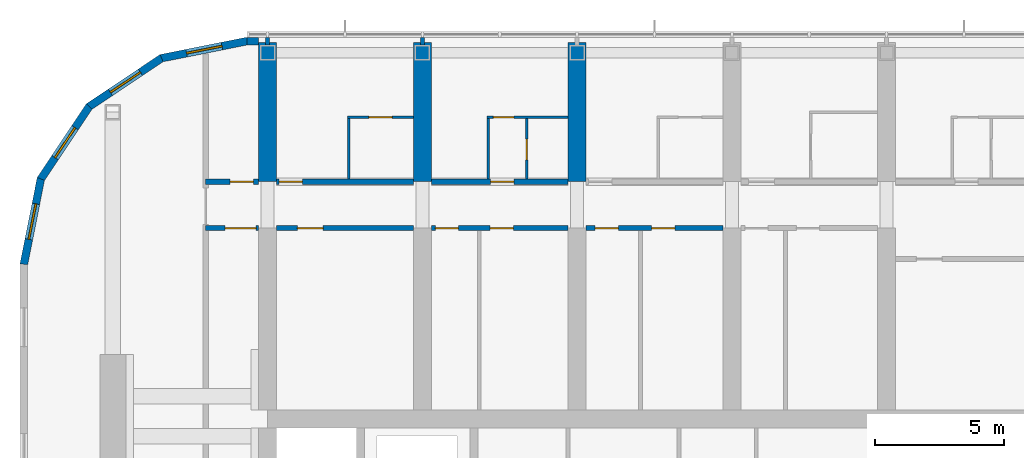
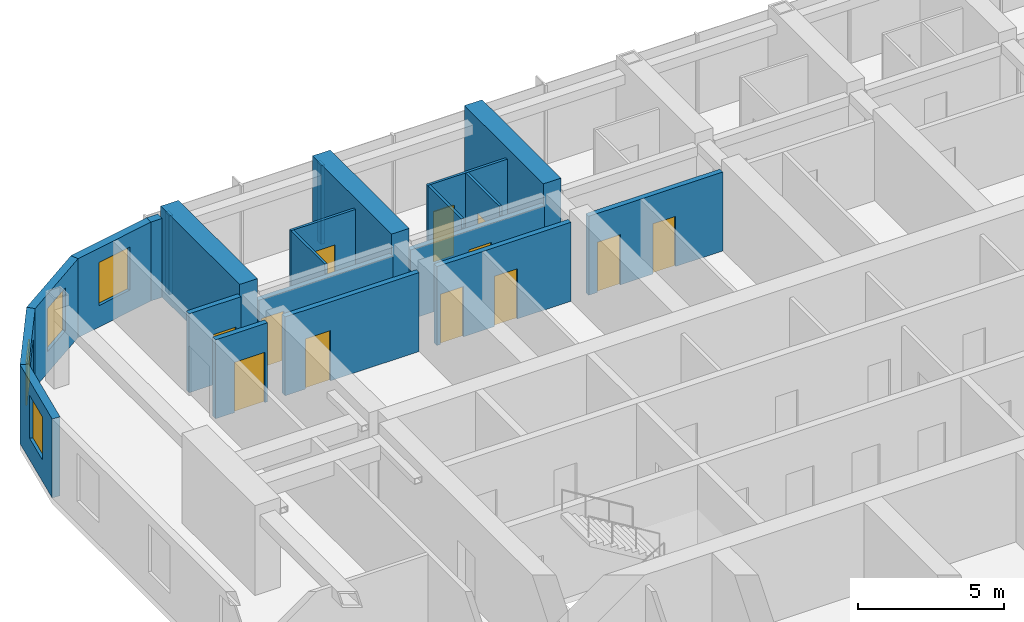
# One storey, part 15 of 23: 22 walls, 12 doors, 4 windows, 16 openings.
"""IFC4 building model written with IfcOpenShell, lengths in metres."""

from ifc_helpers import new_model, si_unit, direction, frame, frame_2d, origin, place, context, subcontext, project, spatial, polyline, rectangle, outline, extrude, material, layer, layer_set, type_object, element, fill, save


model = new_model("IFC4")

# Units and contexts
model_context = context("Model", 3, precision=1e-05, world=origin(), true_north=direction((0.0, 1.0)))
body_context = subcontext(model_context, "Body", "Model", "MODEL_VIEW")
ifc_project = project(units=[si_unit("LENGTHUNIT", "METRE"), si_unit("AREAUNIT", "SQUARE_METRE"), si_unit("VOLUMEUNIT", "CUBIC_METRE"), si_unit("PLANEANGLEUNIT", "RADIAN"), si_unit("MASSUNIT", "GRAM", prefix="KILO")], contexts=[model_context])

# Site, building, storey
site_placement = place(None, origin())
site = spatial("IfcSite", under=ifc_project, at=site_placement, CompositionType="ELEMENT")
building_placement = place(site_placement, origin())
building = spatial("IfcBuilding", under=site, at=building_placement, Name="Orbita Commons", CompositionType="ELEMENT")
storey_placement = place(building_placement, frame((0.0, 0.0, 212.800048828125)))
storey = spatial("IfcBuildingStorey", under=building, at=storey_placement, Name="L52", CompositionType="ELEMENT", Elevation=212.800048828125)

# Wall, opening, door
ifc_material_1 = material(Name="Concrete blockwork", Category="masonry")
ifc_layer_1 = layer(ifc_material_1, 0.199951171875)
ifc_layer_set_1 = layer_set([ifc_layer_1], Name="Concrete blockwork")
wall_type_1 = type_object("IfcWallType", Name="Corridor wall 200 blockwork", PredefinedType="SOLIDWALL", material=ifc_layer_set_1)
wall_1_placement = place(storey_placement, frame((15.60009765625, 47.39990234375, 0.0), z_axis=(0.0, 0.0, 1.0), x_axis=(1.0, 0.0, 0.0)))
wall_1 = element("IfcWall", 1, at=wall_1_placement, inside=storey, type_object=wall_type_1, Name="Corridor wall 200 blockwork L52", PredefinedType="SOLIDWALL", context=body_context, shape_type="SweptSolid", body=[
    extrude(rectangle(XDim=2.0498046875, YDim=0.199951171875, at=frame_2d((1.02490234375, 0.0))), origin(), (0.0, 0.0, 1.0), 3.300048828125),
])
opening_1_placement = place(wall_1_placement, frame((0.949951171875, 0.0, 0.0)))
opening_1 = element("IfcOpeningElement", 2, at=opening_1_placement, cuts=wall_1, Name="Opening D05", PredefinedType="OPENING", context=body_context, shape_type="SweptSolid", body=[
    extrude(rectangle(XDim=0.89990234375, YDim=2.10009765625, at=frame_2d((0.449951171875, 1.050048828125))), frame((0.0, 0.10986328125, 0.0), z_axis=(0.0, -1.0, 0.0), x_axis=(1.0, 0.0, 0.0)), (0.0, 0.0, 1.0), 0.219970703125),
])
ifc_material_2 = material(Name="Steel-faced fire door leaf", Category="steel")
door_type_1 = type_object("IfcDoorType", Name="Service door 20 min 900x2100", OperationType="SINGLE_SWING_LEFT", PredefinedType="DOOR", material=ifc_material_2)
door_1_placement = place(opening_1_placement, origin())
door_1 = element("IfcDoor", 3, at=door_1_placement, inside=storey, type_object=door_type_1, Name="Linen store L52-KWN door", OperationType="SINGLE_SWING_LEFT", OverallHeight=2.10009765625, OverallWidth=0.89990234375, PredefinedType="DOOR", context=body_context, shape_type="SweptSolid", body=[
    extrude(rectangle(XDim=0.89990234375, YDim=2.10009765625, at=frame_2d((0.449951171875, 1.050048828125))), frame((0.0, 0.02490234375, 0.0), z_axis=(0.0, -1.0, 0.0), x_axis=(1.0, 0.0, 0.0)), (0.0, 0.0, 1.0), 0.050048828125),
])
fill(opening_1, door_1)

wall_2_placement = place(storey_placement, frame((18.35009765625, 47.39990234375, 0.0), z_axis=(0.0, 0.0, 1.0), x_axis=(1.0, 0.0, 0.0)))
wall_2 = element("IfcWall", 4, at=wall_2_placement, inside=storey, type_object=wall_type_1, Name="Corridor wall 200 blockwork L52", PredefinedType="SOLIDWALL", context=body_context, shape_type="SweptSolid", body=[
    extrude(outline(polyline([(0.0, 0.0), (5.2998046875, 0.0), (5.300048828125, 2.89990234375), (0.0, 2.89990234375), (0.0, 0.0)])), frame((0.0, 0.10009765625, 0.0), z_axis=(0.0, -1.0, 0.0), x_axis=(1.0, 0.0, 0.0)), (0.0, 0.0, 1.0), 0.199951171875),
])
opening_2_placement = place(wall_2_placement, frame((0.10009765625, 0.0, 0.0)))
opening_2 = element("IfcOpeningElement", 5, at=opening_2_placement, cuts=wall_2, Name="Opening D11", PredefinedType="OPENING", context=body_context, shape_type="SweptSolid", body=[
    extrude(rectangle(XDim=0.89990234375, YDim=2.10009765625, at=frame_2d((0.449951171875, 1.050048828125))), frame((0.0, 0.10986328125, 0.0), z_axis=(0.0, -1.0, 0.0), x_axis=(1.0, 0.0, 0.0)), (0.0, 0.0, 1.0), 0.219970703125),
])
ifc_material_3 = material(Name="Steel-faced fire door leaf", Category="steel")
door_type_2 = type_object("IfcDoorType", Name="Corridor door 20 min 900x2100", OperationType="SINGLE_SWING_LEFT", PredefinedType="DOOR", material=ifc_material_3)
door_2_placement = place(opening_2_placement, origin())
door_2 = element("IfcDoor", 6, at=door_2_placement, inside=storey, type_object=door_type_2, Name="Studio apartment with kitchenette L52-N00 door", OperationType="SINGLE_SWING_LEFT", OverallHeight=2.10009765625, OverallWidth=0.89990234375, PredefinedType="DOOR", context=body_context, shape_type="SweptSolid", body=[
    extrude(rectangle(XDim=0.89990234375, YDim=2.10009765625, at=frame_2d((0.449951171875, 1.050048828125))), frame((0.0, 0.02490234375, 0.0), z_axis=(0.0, -1.0, 0.0), x_axis=(1.0, 0.0, 0.0)), (0.0, 0.0, 1.0), 0.050048828125),
])
fill(opening_2, door_2)

wall_3_placement = place(storey_placement, frame((24.35009765625, 47.39990234375, 0.0), z_axis=(0.0, 0.0, 1.0), x_axis=(1.0, 0.0, 0.0)))
wall_3 = element("IfcWall", 7, at=wall_3_placement, inside=storey, type_object=wall_type_1, Name="Corridor wall 200 blockwork L52", PredefinedType="SOLIDWALL", context=body_context, shape_type="SweptSolid", body=[
    extrude(outline(polyline([(0.0, 0.0), (5.2998046875, 0.0), (5.300048828125, 2.89990234375), (0.0, 2.89990234375), (0.0, 0.0)])), frame((0.0, 0.10009765625, 0.0), z_axis=(0.0, -1.0, 0.0), x_axis=(1.0, 0.0, 0.0)), (0.0, 0.0, 1.0), 0.199951171875),
])
opening_3_placement = place(wall_3_placement, frame((2.300048828125, 0.0, 0.0)))
opening_3 = element("IfcOpeningElement", 8, at=opening_3_placement, cuts=wall_3, Name="Opening D11", PredefinedType="OPENING", context=body_context, shape_type="SweptSolid", body=[
    extrude(rectangle(XDim=0.89990234375, YDim=2.10009765625, at=frame_2d((0.449951171875, 1.050048828125))), frame((0.0, 0.10986328125, 0.0), z_axis=(0.0, -1.0, 0.0), x_axis=(1.0, 0.0, 0.0)), (0.0, 0.0, 1.0), 0.219970703125),
])
door_3_placement = place(opening_3_placement, origin())
door_3 = element("IfcDoor", 9, at=door_3_placement, inside=storey, type_object=door_type_2, Name="Studio flat L52-N02 entrance door", OperationType="SINGLE_SWING_LEFT", OverallHeight=2.10009765625, OverallWidth=0.89990234375, PredefinedType="DOOR", context=body_context, shape_type="SweptSolid", body=[
    extrude(rectangle(XDim=0.89990234375, YDim=2.10009765625, at=frame_2d((0.449951171875, 1.050048828125))), frame((0.0, 0.02490234375, 0.0), z_axis=(0.0, -1.0, 0.0), x_axis=(1.0, 0.0, 0.0)), (0.0, 0.0, 1.0), 0.050048828125),
])
fill(opening_3, door_3)

ifc_material_4 = material(Name="Hollow concrete block 200", Category="concrete")
ifc_layer_2 = layer(ifc_material_4, 0.199951171875)
ifc_layer_set_2 = layer_set([ifc_layer_2], Name="Hollow concrete block 200")
wall_type_2 = type_object("IfcWallType", Name="Corridor wall 200 hollow concrete block", PredefinedType="SOLIDWALL", material=ifc_layer_set_2)
wall_4_placement = place(storey_placement, frame((15.60009765625, 45.60009765625, 0.0), z_axis=(0.0, 0.0, 1.0), x_axis=(1.0, 0.0, 0.0)))
wall_4 = element("IfcWall", 10, at=wall_4_placement, inside=storey, type_object=wall_type_2, Name="Corridor wall 200 hollow concrete block L52", PredefinedType="SOLIDWALL", context=body_context, shape_type="SweptSolid", body=[
    extrude(rectangle(XDim=2.0498046875, YDim=0.199951171875, at=frame_2d((1.02490234375, 0.0))), origin(), (0.0, 0.0, 1.0), 3.300048828125),
])
opening_4_placement = place(wall_4_placement, frame((0.75, 0.0, 0.0)))
opening_4 = element("IfcOpeningElement", 11, at=opening_4_placement, cuts=wall_4, Name="Opening D12", PredefinedType="OPENING", context=body_context, shape_type="SweptSolid", body=[
    extrude(rectangle(XDim=1.199951171875, YDim=2.10009765625, at=frame_2d((0.60009765625, 1.050048828125))), frame((0.0, 0.10986328125, 0.0), z_axis=(0.0, -1.0, 0.0), x_axis=(1.0, 0.0, 0.0)), (0.0, 0.0, 1.0), 0.219970703125),
])
ifc_material_5 = material(Name="Steel-faced fire door leaf", Category="steel")
door_type_3 = type_object("IfcDoorType", Name="Double corridor door 20 min 1200x2100", OperationType="DOUBLE_DOOR_SINGLE_SWING", PredefinedType="DOOR", material=ifc_material_5)
door_4_placement = place(opening_4_placement, origin())
door_4 = element("IfcDoor", 12, at=door_4_placement, inside=storey, type_object=door_type_3, Name="Cross corridor doors", OperationType="DOUBLE_DOOR_SINGLE_SWING", OverallHeight=2.10009765625, OverallWidth=1.199951171875, PredefinedType="DOOR", context=body_context, shape_type="SweptSolid", body=[
    extrude(rectangle(XDim=1.199951171875, YDim=2.10009765625, at=frame_2d((0.60009765625, 1.050048828125))), frame((0.0, 0.02490234375, 0.0), z_axis=(0.0, -1.0, 0.0), x_axis=(1.0, 0.0, 0.0)), (0.0, 0.0, 1.0), 0.050048828125),
])
fill(opening_4, door_4)

wall_5_placement = place(storey_placement, frame((18.35009765625, 45.60009765625, 0.0), z_axis=(0.0, 0.0, 1.0), x_axis=(1.0, 0.0, 0.0)))
wall_5 = element("IfcWall", 13, at=wall_5_placement, inside=storey, type_object=wall_type_2, Name="Corridor wall 200 hollow concrete block L52", PredefinedType="SOLIDWALL", context=body_context, shape_type="SweptSolid", body=[
    extrude(rectangle(XDim=5.2998046875, YDim=0.199951171875, at=frame_2d((2.64990234375, 0.0))), origin(), (0.0, 0.0, 1.0), 3.300048828125),
])
opening_5_placement = place(wall_5_placement, frame((0.800048828125, 0.0, 0.0)))
opening_5 = element("IfcOpeningElement", 14, at=opening_5_placement, cuts=wall_5, Name="Opening D06", PredefinedType="OPENING", context=body_context, shape_type="SweptSolid", body=[
    extrude(rectangle(XDim=1.0, YDim=2.10009765625, at=frame_2d((0.5, 1.050048828125))), frame((0.0, 0.10986328125, 0.0), z_axis=(0.0, -1.0, 0.0), x_axis=(1.0, 0.0, 0.0)), (0.0, 0.0, 1.0), 0.219970703125),
])
ifc_material_6 = material(Name="Steel-faced fire door leaf", Category="steel")
door_type_4 = type_object("IfcDoorType", Name="Corridor door 20 min 1000x2100", OperationType="SINGLE_SWING_LEFT", PredefinedType="DOOR", material=ifc_material_6)
door_5_placement = place(opening_5_placement, origin())
door_5 = element("IfcDoor", 15, at=door_5_placement, inside=storey, type_object=door_type_4, Name="IT and print room L52-BDN18 door", OperationType="SINGLE_SWING_LEFT", OverallHeight=2.10009765625, OverallWidth=1.0, PredefinedType="DOOR", context=body_context, shape_type="SweptSolid", body=[
    extrude(rectangle(XDim=1.0, YDim=2.10009765625, at=frame_2d((0.5, 1.050048828125))), frame((0.0, 0.02490234375, 0.0), z_axis=(0.0, -1.0, 0.0), x_axis=(1.0, 0.0, 0.0)), (0.0, 0.0, 1.0), 0.050048828125),
])
fill(opening_5, door_5)

# Wall, openings, doors
wall_6_placement = place(storey_placement, frame((24.35009765625, 45.60009765625, 0.0), z_axis=(0.0, 0.0, 1.0), x_axis=(1.0, 0.0, 0.0)))
wall_6 = element("IfcWall", 16, at=wall_6_placement, inside=storey, type_object=wall_type_2, Name="Corridor wall 200 hollow concrete block L52", PredefinedType="SOLIDWALL", context=body_context, shape_type="SweptSolid", body=[
    extrude(rectangle(XDim=5.2998046875, YDim=0.199951171875, at=frame_2d((2.64990234375, 0.0))), origin(), (0.0, 0.0, 1.0), 3.300048828125),
])
opening_6_placement = place(wall_6_placement, frame((0.14990234375, 0.0, 0.0)))
opening_6 = element("IfcOpeningElement", 17, at=opening_6_placement, cuts=wall_6, Name="Opening D11", PredefinedType="OPENING", context=body_context, shape_type="SweptSolid", body=[
    extrude(rectangle(XDim=0.89990234375, YDim=2.10009765625, at=frame_2d((0.449951171875, 1.050048828125))), frame((0.0, 0.10986328125, 0.0), z_axis=(0.0, -1.0, 0.0), x_axis=(1.0, 0.0, 0.0)), (0.0, 0.0, 1.0), 0.219970703125),
])
opening_7_placement = place(wall_6_placement, frame((2.280029296875, 0.0, 0.0)))
opening_7 = element("IfcOpeningElement", 18, at=opening_7_placement, cuts=wall_6, Name="Opening D11", PredefinedType="OPENING", context=body_context, shape_type="SweptSolid", body=[
    extrude(rectangle(XDim=0.89990234375, YDim=2.10009765625, at=frame_2d((0.449951171875, 1.050048828125))), frame((0.0, 0.10986328125, 0.0), z_axis=(0.0, -1.0, 0.0), x_axis=(1.0, 0.0, 0.0)), (0.0, 0.0, 1.0), 0.219970703125),
])
door_6_placement = place(opening_6_placement, origin())
door_6 = element("IfcDoor", 19, at=door_6_placement, inside=storey, type_object=door_type_2, Name="Sprinkler valve room L52-BDN24n door", OperationType="SINGLE_SWING_LEFT", OverallHeight=2.10009765625, OverallWidth=0.89990234375, PredefinedType="DOOR", context=body_context, shape_type="SweptSolid", body=[
    extrude(rectangle(XDim=0.89990234375, YDim=2.10009765625, at=frame_2d((0.449951171875, 1.050048828125))), frame((0.0, 0.02490234375, 0.0), z_axis=(0.0, -1.0, 0.0), x_axis=(1.0, 0.0, 0.0)), (0.0, 0.0, 1.0), 0.050048828125),
])
fill(opening_6, door_6)
door_7_placement = place(opening_7_placement, origin())
door_7 = element("IfcDoor", 20, at=door_7_placement, inside=storey, type_object=door_type_2, Name="Storage lockers L52-BDN24 door", OperationType="SINGLE_SWING_LEFT", OverallHeight=2.10009765625, OverallWidth=0.89990234375, PredefinedType="DOOR", context=body_context, shape_type="SweptSolid", body=[
    extrude(rectangle(XDim=0.89990234375, YDim=2.10009765625, at=frame_2d((0.449951171875, 1.050048828125))), frame((0.0, 0.02490234375, 0.0), z_axis=(0.0, -1.0, 0.0), x_axis=(1.0, 0.0, 0.0)), (0.0, 0.0, 1.0), 0.050048828125),
])
fill(opening_7, door_7)

wall_7_placement = place(storey_placement, frame((30.35009765625, 45.60009765625, 0.0), z_axis=(0.0, 0.0, 1.0), x_axis=(1.0, 0.0, 0.0)))
wall_7 = element("IfcWall", 21, at=wall_7_placement, inside=storey, type_object=wall_type_2, Name="Corridor wall 200 hollow concrete block L52", PredefinedType="SOLIDWALL", context=body_context, shape_type="SweptSolid", body=[
    extrude(rectangle(XDim=5.2998046875, YDim=0.199951171875, at=frame_2d((2.64990234375, 0.0))), origin(), (0.0, 0.0, 1.0), 3.300048828125),
])
opening_8_placement = place(wall_7_placement, frame((0.35009765625, 0.0, 0.0)))
opening_8 = element("IfcOpeningElement", 22, at=opening_8_placement, cuts=wall_7, Name="Opening D11", PredefinedType="OPENING", context=body_context, shape_type="SweptSolid", body=[
    extrude(rectangle(XDim=0.89990234375, YDim=2.10009765625, at=frame_2d((0.449951171875, 1.050048828125))), frame((0.0, 0.10986328125, 0.0), z_axis=(0.0, -1.0, 0.0), x_axis=(1.0, 0.0, 0.0)), (0.0, 0.0, 1.0), 0.219970703125),
])
opening_9_placement = place(wall_7_placement, frame((2.534912109375, 0.0, 0.0)))
opening_9 = element("IfcOpeningElement", 23, at=opening_9_placement, cuts=wall_7, Name="Opening D11", PredefinedType="OPENING", context=body_context, shape_type="SweptSolid", body=[
    extrude(rectangle(XDim=0.89990234375, YDim=2.10009765625, at=frame_2d((0.449951171875, 1.050048828125))), frame((0.0, 0.10986328125, 0.0), z_axis=(0.0, -1.0, 0.0), x_axis=(1.0, 0.0, 0.0)), (0.0, 0.0, 1.0), 0.219970703125),
])
door_8_placement = place(opening_8_placement, origin())
door_8 = element("IfcDoor", 24, at=door_8_placement, inside=storey, type_object=door_type_2, Name="Water heater cupboard L52-BDN30n door", OperationType="SINGLE_SWING_LEFT", OverallHeight=2.10009765625, OverallWidth=0.89990234375, PredefinedType="DOOR", context=body_context, shape_type="SweptSolid", body=[
    extrude(rectangle(XDim=0.89990234375, YDim=2.10009765625, at=frame_2d((0.449951171875, 1.050048828125))), frame((0.0, 0.02490234375, 0.0), z_axis=(0.0, -1.0, 0.0), x_axis=(1.0, 0.0, 0.0)), (0.0, 0.0, 1.0), 0.050048828125),
])
fill(opening_8, door_8)
door_9_placement = place(opening_9_placement, origin())
door_9 = element("IfcDoor", 25, at=door_9_placement, inside=storey, type_object=door_type_2, Name="Cleaners store L52-BDN30 door", OperationType="SINGLE_SWING_LEFT", OverallHeight=2.10009765625, OverallWidth=0.89990234375, PredefinedType="DOOR", context=body_context, shape_type="SweptSolid", body=[
    extrude(rectangle(XDim=0.89990234375, YDim=2.10009765625, at=frame_2d((0.449951171875, 1.050048828125))), frame((0.0, 0.02490234375, 0.0), z_axis=(0.0, -1.0, 0.0), x_axis=(1.0, 0.0, 0.0)), (0.0, 0.0, 1.0), 0.050048828125),
])
fill(opening_9, door_9)

# Walls
ifc_material_7 = material(Name="Concrete C50/60", Category="concrete")
ifc_layer_3 = layer(ifc_material_7, 0.699951171875)
ifc_layer_set_3 = layer_set([ifc_layer_3], Name="Concrete C50/60")
wall_type_3 = type_object("IfcWallType", Name="Cross wall 700 C50/60", PredefinedType="SHEAR", material=ifc_layer_set_3)
for number, where, z_axis, x_axis, name in (
    (26, (18.0, 47.39990234375, 0.0), (0.0, 0.0, 1.0), (0.0, 1.0, 0.0), "Cross wall 4 north outer L52"),
    (27, (24.0, 47.39990234375, 0.0), (0.0, 0.0, 1.0), (0.0, 1.0, 0.0), "Cross wall 5 north outer L52"),
    (28, (30.0, 47.39990234375, 0.0), (0.0, 0.0, 1.0), (0.0, 1.0, 0.0), "Cross wall 6 north outer L52"),
):
    element("IfcWall", number, at=place(storey_placement, frame(where, z_axis=z_axis, x_axis=x_axis)), inside=storey, type_object=wall_type_3, Name=name, PredefinedType="SHEAR", context=body_context, shape_type="SweptSolid", body=[
        extrude(rectangle(XDim=5.400146484375, YDim=0.699951171875, at=frame_2d((2.7001953125, 0.0))), origin(), (0.0, 0.0, 1.0), 3.75),
    ])

# Wall, opening, door
ifc_material_8 = material(Name="Moisture-resistant plasterboard on steel studs", Category="steel")
ifc_layer_4 = layer(ifc_material_8, 0.10009765625)
ifc_layer_set_4 = layer_set([ifc_layer_4], Name="Moisture-resistant plasterboard on steel studs")
wall_type_4 = type_object("IfcWallType", Name="En-suite partition 100", PredefinedType="PARTITIONING", material=ifc_layer_set_4)
wall_8_placement = place(storey_placement, frame((21.10009765625, 49.89990234375, 0.0), z_axis=(0.0, 0.0, 1.0), x_axis=(1.0, 0.0, 0.0)))
wall_8 = element("IfcWall", 29, at=wall_8_placement, inside=storey, type_object=wall_type_4, Name="En-suite partition 100 L52", PredefinedType="PARTITIONING", context=body_context, shape_type="SweptSolid", body=[
    extrude(rectangle(XDim=2.5498046875, YDim=0.10009765625, at=frame_2d((1.27490234375, 0.0))), origin(), (0.0, 0.0, 1.0), 3.300048828125),
])
opening_10_placement = place(wall_8_placement, frame((0.824951171875, 0.0, 0.0)))
opening_10 = element("IfcOpeningElement", 30, at=opening_10_placement, cuts=wall_8, Name="Opening D09", PredefinedType="OPENING", context=body_context, shape_type="SweptSolid", body=[
    extrude(rectangle(XDim=0.89990234375, YDim=2.10009765625, at=frame_2d((0.449951171875, 1.050048828125))), frame((0.0, 0.06005859375, 0.0), z_axis=(0.0, -1.0, 0.0), x_axis=(1.0, 0.0, 0.0)), (0.0, 0.0, 1.0), 0.1201171875),
])
ifc_material_9 = material(Name="Laminated timber door leaf", Category="wood")
door_type_5 = type_object("IfcDoorType", Name="En-suite door 900x2100", OperationType="SINGLE_SWING_RIGHT", PredefinedType="DOOR", material=ifc_material_9)
door_10_placement = place(opening_10_placement, origin())
door_10 = element("IfcDoor", 31, at=door_10_placement, inside=storey, type_object=door_type_5, Name="En-suite L52-N00 door", OperationType="SINGLE_SWING_RIGHT", OverallHeight=2.10009765625, OverallWidth=0.89990234375, PredefinedType="DOOR", context=body_context, shape_type="SweptSolid", body=[
    extrude(rectangle(XDim=0.89990234375, YDim=2.10009765625, at=frame_2d((0.449951171875, 1.050048828125))), frame((0.0, 0.02490234375, 0.0), z_axis=(0.0, -1.0, 0.0), x_axis=(1.0, 0.0, 0.0)), (0.0, 0.0, 1.0), 0.050048828125),
])
fill(opening_10, door_10)

# Wall
wall_9_placement = place(storey_placement, frame((21.14990234375, 49.85009765625, 0.0), z_axis=(0.0, 0.0, 1.0), x_axis=(0.0, -1.0, 0.0)))
element("IfcWall", 32, at=wall_9_placement, inside=storey, type_object=wall_type_4, Name="En-suite partition 100 L52", PredefinedType="PARTITIONING", context=body_context, shape_type="SweptSolid", body=[
    extrude(outline(polyline([(0.0, 0.0), (2.35009765625, 0.0), (2.35009765625, 2.89990234375), (2.302001953125, 2.89990234375), (2.300048828125, 3.300048828125), (0.0, 3.300048828125), (0.0, 0.0)])), frame((0.0, 0.050048828125, 0.0), z_axis=(0.0, -1.0, 0.0), x_axis=(1.0, 0.0, 0.0)), (0.0, 0.0, 1.0), 0.10009765625),
])

# Wall, opening, door
wall_10_placement = place(storey_placement, frame((26.5, 49.89990234375, 0.0), z_axis=(0.0, 0.0, 1.0), x_axis=(1.0, 0.0, 0.0)))
wall_10 = element("IfcWall", 33, at=wall_10_placement, inside=storey, type_object=wall_type_4, Name="En-suite partition 100 L52", PredefinedType="PARTITIONING", context=body_context, shape_type="SweptSolid", body=[
    extrude(rectangle(XDim=3.14990234375, YDim=0.10009765625, at=frame_2d((1.574951171875, 0.0))), origin(), (0.0, 0.0, 1.0), 3.300048828125),
])
opening_11_placement = place(wall_10_placement, frame((0.25, 0.0, 0.0)))
opening_11 = element("IfcOpeningElement", 34, at=opening_11_placement, cuts=wall_10, Name="Opening D16", PredefinedType="OPENING", context=body_context, shape_type="SweptSolid", body=[
    extrude(rectangle(XDim=0.800048828125, YDim=2.10009765625, at=frame_2d((0.39990234375, 1.050048828125))), frame((0.0, 0.06005859375, 0.0), z_axis=(0.0, -1.0, 0.0), x_axis=(1.0, 0.0, 0.0)), (0.0, 0.0, 1.0), 0.1201171875),
])
ifc_material_10 = material(Name="Laminated timber door leaf", Category="wood")
door_type_6 = type_object("IfcDoorType", Name="En-suite door 800x2100", OperationType="SINGLE_SWING_RIGHT", PredefinedType="DOOR", material=ifc_material_10)
door_11_placement = place(opening_11_placement, origin())
door_11 = element("IfcDoor", 35, at=door_11_placement, inside=storey, type_object=door_type_6, Name="Studio flat L52-N02 door", OperationType="SINGLE_SWING_RIGHT", OverallHeight=2.10009765625, OverallWidth=0.800048828125, PredefinedType="DOOR", context=body_context, shape_type="SweptSolid", body=[
    extrude(rectangle(XDim=0.800048828125, YDim=2.10009765625, at=frame_2d((0.39990234375, 1.050048828125))), frame((0.0, 0.02490234375, 0.0), z_axis=(0.0, -1.0, 0.0), x_axis=(1.0, 0.0, 0.0)), (0.0, 0.0, 1.0), 0.050048828125),
])
fill(opening_11, door_11)

# Wall
wall_11_placement = place(storey_placement, frame((26.550048828125, 49.85009765625, 0.0), z_axis=(0.0, 0.0, 1.0), x_axis=(0.0, -1.0, 0.0)))
element("IfcWall", 36, at=wall_11_placement, inside=storey, type_object=wall_type_4, Name="En-suite partition 100 L52", PredefinedType="PARTITIONING", context=body_context, shape_type="SweptSolid", body=[
    extrude(outline(polyline([(0.0, 0.0), (2.35009765625, 0.0), (2.35009765625, 2.89990234375), (2.302001953125, 2.89990234375), (2.300048828125, 3.300048828125), (0.0, 3.300048828125), (0.0, 0.0)])), frame((0.0, 0.050048828125, 0.0), z_axis=(0.0, -1.0, 0.0), x_axis=(1.0, 0.0, 0.0)), (0.0, 0.0, 1.0), 0.10009765625),
])

# Wall, opening, door
wall_12_placement = place(storey_placement, frame((28.050048828125, 49.85009765625, 0.0), z_axis=(0.0, 0.0, 1.0), x_axis=(0.0, -1.0, 0.0)))
wall_12 = element("IfcWall", 37, at=wall_12_placement, inside=storey, type_object=wall_type_4, Name="En-suite partition 100 L52", PredefinedType="PARTITIONING", context=body_context, shape_type="SweptSolid", body=[
    extrude(outline(polyline([(0.0, 0.0), (2.35009765625, 0.0), (2.35009765625, 2.89990234375), (2.302001953125, 2.89990234375), (2.300048828125, 3.300048828125), (0.0, 3.300048828125), (0.0, 0.0)])), frame((0.0, 0.050048828125, 0.0), z_axis=(0.0, -1.0, 0.0), x_axis=(1.0, 0.0, 0.0)), (0.0, 0.0, 1.0), 0.10009765625),
])
opening_12_placement = place(wall_12_placement, frame((0.800048828125, 0.0, 0.0)))
opening_12 = element("IfcOpeningElement", 38, at=opening_12_placement, cuts=wall_12, Name="Opening D16", PredefinedType="OPENING", context=body_context, shape_type="SweptSolid", body=[
    extrude(rectangle(XDim=0.800048828125, YDim=2.10009765625, at=frame_2d((0.39990234375, 1.050048828125))), frame((0.0, 0.06005859375, 0.0), z_axis=(0.0, -1.0, 0.0), x_axis=(1.0, 0.0, 0.0)), (0.0, 0.0, 1.0), 0.1201171875),
])
door_12_placement = place(opening_12_placement, origin())
door_12 = element("IfcDoor", 39, at=door_12_placement, inside=storey, type_object=door_type_6, Name="Studio flat shower room L52-N02 door", OperationType="SINGLE_SWING_RIGHT", OverallHeight=2.10009765625, OverallWidth=0.800048828125, PredefinedType="DOOR", context=body_context, shape_type="SweptSolid", body=[
    extrude(rectangle(XDim=0.800048828125, YDim=2.10009765625, at=frame_2d((0.39990234375, 1.050048828125))), frame((0.0, 0.02490234375, 0.0), z_axis=(0.0, -1.0, 0.0), x_axis=(1.0, 0.0, 0.0)), (0.0, 0.0, 1.0), 0.050048828125),
])
fill(opening_12, door_12)

# Walls
ifc_material_11 = material(Name="Gypsum plasterboard on steel studs", Category="steel")
ifc_layer_5 = layer(ifc_material_11, 0.14990234375)
ifc_layer_set_5 = layer_set([ifc_layer_5], Name="Gypsum plasterboard on steel studs")
wall_type_5 = type_object("IfcWallType", Name="Partition 150 plasterboard", PredefinedType="PARTITIONING", material=ifc_layer_set_5)
for number, where, z_axis, x_axis, name in (
    (40, (18.0, 52.699951171875, 0.0), (0.0, 0.0, 1.0), (0.0, 1.0, 0.0), "Partition 150 plasterboard L52"),
    (41, (24.0, 52.699951171875, 0.0), (0.0, 0.0, 1.0), (0.0, 1.0, 0.0), "Partition 150 plasterboard L52"),
):
    element("IfcWall", number, at=place(storey_placement, frame(where, z_axis=z_axis, x_axis=x_axis)), inside=storey, type_object=wall_type_5, Name=name, PredefinedType="PARTITIONING", context=body_context, shape_type="SweptSolid", body=[
        extrude(rectangle(XDim=0.2900390625, YDim=0.14990234375, at=frame_2d((0.14501953125, 0.0))), origin(), (0.0, 0.0, 1.0), 3.300048828125),
    ])

# Wall, opening, window
ifc_material_12 = material(Name="Precast concrete C40/50, white board-marked finish", Category="concrete")
ifc_layer_6 = layer(ifc_material_12, 0.300048828125)
ifc_layer_set_6 = layer_set([ifc_layer_6], Name="Precast concrete C40/50, white board-marked finish")
wall_type_6 = type_object("IfcWallType", Name="Precast concrete end shield 300", PredefinedType="SOLIDWALL", material=ifc_layer_set_6)
wall_13_placement = place(storey_placement, frame((17.199951171875, 52.85009765625, 0.0), z_axis=(0.0, 0.0, 1.0), x_axis=(-0.98078325777, -0.195100490205, 0.0)))
wall_13 = element("IfcWall", 42, at=wall_13_placement, inside=storey, type_object=wall_type_6, Name="End shield NW chord 1 L52", PredefinedType="SOLIDWALL", context=body_context, shape_type="SweptSolid", body=[
    extrude(outline(polyline([(-0.02978515625, -0.14990234375), (3.40478515625, -0.14990234375), (3.34521484375, 0.14990234375), (0.02978515625, 0.14990234375), (-0.02978515625, -0.14990234375)])), origin(), (0.0, 0.0, 1.0), 3.300048828125),
])
opening_13_placement = place(wall_13_placement, frame((0.987548828125, 0.0, 0.89990234375)))
opening_13 = element("IfcOpeningElement", 43, at=opening_13_placement, cuts=wall_13, Name="Opening W02", PredefinedType="OPENING", context=body_context, shape_type="SweptSolid", body=[
    extrude(rectangle(XDim=1.39990234375, YDim=1.800048828125, at=frame_2d((0.699951171875, 0.89990234375))), frame((0.0, 0.159912109375, 0.0), z_axis=(0.0, -1.0, 0.0), x_axis=(1.0, 0.0, 0.0)), (0.0, 0.0, 1.0), 0.320068359375),
])
ifc_material_13 = material(Name="Aluminium frame, clear double glazing", Category="aluminium")
window_type = type_object("IfcWindowType", Name="Deep-set window 1400x1800", PartitioningType="SINGLE_PANEL", PredefinedType="WINDOW", material=ifc_material_13)
window_1_placement = place(opening_13_placement, origin())
window_1 = element("IfcWindow", 44, at=window_1_placement, inside=storey, type_object=window_type, Name="Window L52-NW0", OverallHeight=1.800048828125, OverallWidth=1.39990234375, PartitioningType="SINGLE_PANEL", PredefinedType="WINDOW", context=body_context, shape_type="SweptSolid", body=[
    extrude(rectangle(XDim=1.39990234375, YDim=1.800048828125, at=frame_2d((0.699951171875, 0.89990234375))), frame((0.0, 0.030029296875, 0.0), z_axis=(0.0, -1.0, 0.0), x_axis=(1.0, 0.0, 0.0)), (0.0, 0.0, 1.0), 0.06005859375),
])
fill(opening_13, window_1)

wall_14_placement = place(storey_placement, frame((13.889892578125, 52.191650390625, 0.0), z_axis=(0.0, 0.0, 1.0), x_axis=(-0.831460037396, -0.555584562613, 0.0)))
wall_14 = element("IfcWall", 45, at=wall_14_placement, inside=storey, type_object=wall_type_6, Name="End shield NW chord 2 L52", PredefinedType="SOLIDWALL", context=body_context, shape_type="SweptSolid", body=[
    extrude(outline(polyline([(-0.02978515625, -0.14990234375), (3.405029296875, -0.14990234375), (3.345458984375, 0.14990234375), (0.02978515625, 0.14990234375), (-0.02978515625, -0.14990234375)])), origin(), (0.0, 0.0, 1.0), 3.300048828125),
])
opening_14_placement = place(wall_14_placement, frame((0.987548828125, 0.0, 0.89990234375)))
opening_14 = element("IfcOpeningElement", 46, at=opening_14_placement, cuts=wall_14, Name="Opening W02", PredefinedType="OPENING", context=body_context, shape_type="SweptSolid", body=[
    extrude(rectangle(XDim=1.39990234375, YDim=1.800048828125, at=frame_2d((0.699951171875, 0.89990234375))), frame((0.0, 0.159912109375, 0.0), z_axis=(0.0, -1.0, 0.0), x_axis=(1.0, 0.0, 0.0)), (0.0, 0.0, 1.0), 0.320068359375),
])
window_2_placement = place(opening_14_placement, origin())
window_2 = element("IfcWindow", 47, at=window_2_placement, inside=storey, type_object=window_type, Name="Window L52-NW1", OverallHeight=1.800048828125, OverallWidth=1.39990234375, PartitioningType="SINGLE_PANEL", PredefinedType="WINDOW", context=body_context, shape_type="SweptSolid", body=[
    extrude(rectangle(XDim=1.39990234375, YDim=1.800048828125, at=frame_2d((0.699951171875, 0.89990234375))), frame((0.0, 0.030029296875, 0.0), z_axis=(0.0, -1.0, 0.0), x_axis=(1.0, 0.0, 0.0)), (0.0, 0.0, 1.0), 0.06005859375),
])
fill(opening_14, window_2)

wall_15_placement = place(storey_placement, frame((11.08349609375, 50.31640625, 0.0), z_axis=(0.0, 0.0, 1.0), x_axis=(-0.555567969291, -0.831471124873, 0.0)))
wall_15 = element("IfcWall", 48, at=wall_15_placement, inside=storey, type_object=wall_type_6, Name="End shield NW chord 3 L52", PredefinedType="SOLIDWALL", context=body_context, shape_type="SweptSolid", body=[
    extrude(outline(polyline([(-0.02978515625, -0.14990234375), (3.40478515625, -0.14990234375), (3.34521484375, 0.14990234375), (0.02978515625, 0.14990234375), (-0.02978515625, -0.14990234375)])), origin(), (0.0, 0.0, 1.0), 3.300048828125),
])
opening_15_placement = place(wall_15_placement, frame((0.987548828125, 0.0, 0.89990234375)))
opening_15 = element("IfcOpeningElement", 49, at=opening_15_placement, cuts=wall_15, Name="Opening W02", PredefinedType="OPENING", context=body_context, shape_type="SweptSolid", body=[
    extrude(rectangle(XDim=1.39990234375, YDim=1.800048828125, at=frame_2d((0.699951171875, 0.89990234375))), frame((0.0, 0.159912109375, 0.0), z_axis=(0.0, -1.0, 0.0), x_axis=(1.0, 0.0, 0.0)), (0.0, 0.0, 1.0), 0.320068359375),
])
window_3_placement = place(opening_15_placement, origin())
window_3 = element("IfcWindow", 50, at=window_3_placement, inside=storey, type_object=window_type, Name="Window L52-NW2", OverallHeight=1.800048828125, OverallWidth=1.39990234375, PartitioningType="SINGLE_PANEL", PredefinedType="WINDOW", context=body_context, shape_type="SweptSolid", body=[
    extrude(rectangle(XDim=1.39990234375, YDim=1.800048828125, at=frame_2d((0.699951171875, 0.89990234375))), frame((0.0, 0.030029296875, 0.0), z_axis=(0.0, -1.0, 0.0), x_axis=(1.0, 0.0, 0.0)), (0.0, 0.0, 1.0), 0.06005859375),
])
fill(opening_15, window_3)

wall_16_placement = place(storey_placement, frame((9.20849609375, 47.51025390625, 0.0), z_axis=(0.0, 0.0, 1.0), x_axis=(-0.19508664885, -0.980786011034, 0.0)))
wall_16 = element("IfcWall", 51, at=wall_16_placement, inside=storey, type_object=wall_type_6, Name="End shield NW chord 4 L52", PredefinedType="SOLIDWALL", context=body_context, shape_type="SweptSolid", body=[
    extrude(outline(polyline([(-0.02978515625, -0.14990234375), (3.39013671875, -0.14990234375), (3.3603515625, 0.14990234375), (0.02978515625, 0.14990234375), (-0.02978515625, -0.14990234375)])), origin(), (0.0, 0.0, 1.0), 3.300048828125),
])
opening_16_placement = place(wall_16_placement, frame((0.987548828125, 0.0, 0.89990234375)))
opening_16 = element("IfcOpeningElement", 52, at=opening_16_placement, cuts=wall_16, Name="Opening W02", PredefinedType="OPENING", context=body_context, shape_type="SweptSolid", body=[
    extrude(rectangle(XDim=1.39990234375, YDim=1.800048828125, at=frame_2d((0.699951171875, 0.89990234375))), frame((0.0, 0.159912109375, 0.0), z_axis=(0.0, -1.0, 0.0), x_axis=(1.0, 0.0, 0.0)), (0.0, 0.0, 1.0), 0.320068359375),
])
window_4_placement = place(opening_16_placement, origin())
window_4 = element("IfcWindow", 53, at=window_4_placement, inside=storey, type_object=window_type, Name="Window L52-NW3", OverallHeight=1.800048828125, OverallWidth=1.39990234375, PartitioningType="SINGLE_PANEL", PredefinedType="WINDOW", context=body_context, shape_type="SweptSolid", body=[
    extrude(rectangle(XDim=1.39990234375, YDim=1.800048828125, at=frame_2d((0.699951171875, 0.89990234375))), frame((0.0, 0.030029296875, 0.0), z_axis=(0.0, -1.0, 0.0), x_axis=(1.0, 0.0, 0.0)), (0.0, 0.0, 1.0), 0.06005859375),
])
fill(opening_16, window_4)

# Wall
wall_17_placement = place(storey_placement, frame((17.199951171875, 52.85009765625, 0.0), z_axis=(0.0, 0.0, 1.0), x_axis=(1.0, 0.0, 0.0)))
element("IfcWall", 54, at=wall_17_placement, inside=storey, type_object=wall_type_6, Name="End shield NW closer L52", PredefinedType="SOLIDWALL", context=body_context, shape_type="SweptSolid", body=[
    extrude(rectangle(XDim=0.449951171875, YDim=0.300048828125, at=frame_2d((0.22509765625, 0.0))), origin(), (0.0, 0.0, 1.0), 3.300048828125),
])

save(model, "model.ifc")
